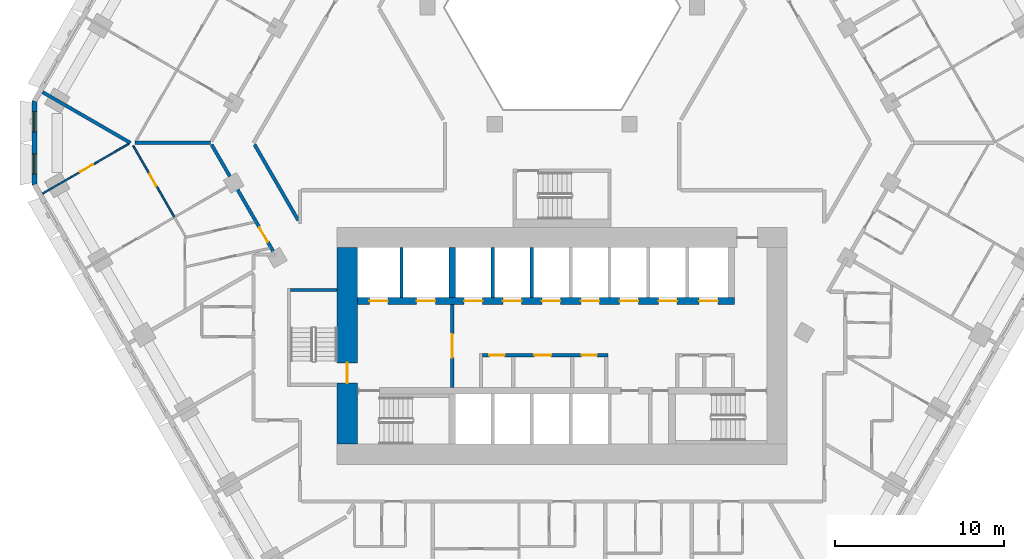
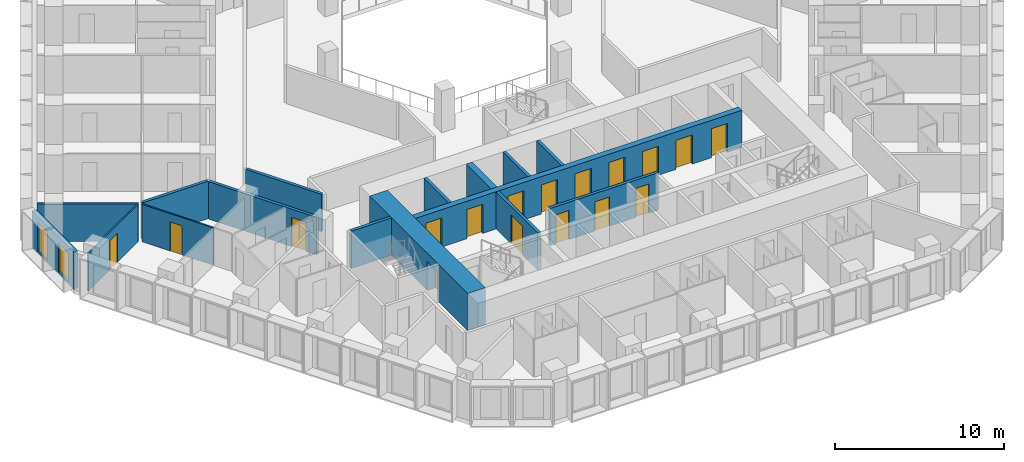
# One storey, part 5 of 21: 17 doors, 16 walls, 2 windows, 19 openings.
"""IFC4 building model written with IfcOpenShell, lengths in metres."""

from ifc_helpers import new_model, si_unit, direction, frame, frame_2d, origin, place, context, subcontext, project, spatial, polyline, rectangle, outline, extrude, material, layer, layer_set, type_object, element, fill, save


model = new_model("IFC4")

# Units and contexts
model_context = context("Model", 3, precision=1e-05, world=origin(), true_north=direction((0.0, 1.0)))
body_context = subcontext(model_context, "Body", "Model", "MODEL_VIEW")
ifc_project = project(units=[si_unit("LENGTHUNIT", "METRE"), si_unit("AREAUNIT", "SQUARE_METRE"), si_unit("VOLUMEUNIT", "CUBIC_METRE"), si_unit("PLANEANGLEUNIT", "RADIAN"), si_unit("MASSUNIT", "GRAM", prefix="KILO")], contexts=[model_context])

# Site, building, storey
site_placement = place(None, origin())
site = spatial("IfcSite", under=ifc_project, at=site_placement, CompositionType="ELEMENT")
building_placement = place(site_placement, origin())
building = spatial("IfcBuilding", under=site, at=building_placement, Name="Beryl Residences", CompositionType="ELEMENT")
storey_placement = place(building_placement, frame((0.0, 0.0, 35.39990234375)))
storey = spatial("IfcBuildingStorey", under=building, at=storey_placement, Name="L10", CompositionType="ELEMENT", Elevation=35.39990234375)

# Wall, openings, windows
ifc_material_1 = material(Name="Composite metal panel with mineral wool insulation")
ifc_layer_1 = layer(ifc_material_1, 0.300048828125)
ifc_layer_set_1 = layer_set([ifc_layer_1], Name="ES1 pale metal composite panel wall 300 mm")
wall_type_1 = type_object("IfcWallType", Name="ES1 pale metal composite panel wall 300 mm", PredefinedType="SOLIDWALL", material=ifc_layer_set_1)
wall_1_placement = place(storey_placement, frame((-31.199951171875, 2.5, 0.0), z_axis=(0.0, 0.0, 1.0), x_axis=(0.0, -1.0, 0.0)))
wall_1 = element("IfcWall", 1, at=wall_1_placement, inside=storey, type_object=wall_type_1, Name="ES1 external wall L10 NW-SW", PredefinedType="SOLIDWALL", context=body_context, shape_type="SweptSolid", body=[
    extrude(outline(polyline([(0.0, -0.14990234375), (5.0, -0.14990234375), (4.919677734375, 0.14990234375), (0.080322265625, 0.14990234375), (0.0, -0.14990234375)])), origin(), (0.0, 0.0, 1.0), 2.7001953125),
])
opening_1_placement = place(wall_1_placement, frame((0.64990234375, 0.0, 0.14990234375)))
opening_1 = element("IfcOpeningElement", 2, at=opening_1_placement, cuts=wall_1, Name="Opening W2", PredefinedType="OPENING", context=body_context, shape_type="SweptSolid", body=[
    extrude(rectangle(XDim=1.199951171875, YDim=2.10009765625, at=frame_2d((0.60009765625, 1.050048828125))), frame((0.0, 0.159912109375, 0.0), z_axis=(0.0, -1.0, 0.0), x_axis=(1.0, 0.0, 0.0)), (0.0, 0.0, 1.0), 0.320068359375),
])
opening_2_placement = place(wall_1_placement, frame((3.14990234375, 0.0, 0.14990234375)))
opening_2 = element("IfcOpeningElement", 3, at=opening_2_placement, cuts=wall_1, Name="Opening W2", PredefinedType="OPENING", context=body_context, shape_type="SweptSolid", body=[
    extrude(rectangle(XDim=1.199951171875, YDim=2.10009765625, at=frame_2d((0.60009765625, 1.050048828125))), frame((0.0, 0.159912109375, 0.0), z_axis=(0.0, -1.0, 0.0), x_axis=(1.0, 0.0, 0.0)), (0.0, 0.0, 1.0), 0.320068359375),
])
ifc_material_2 = material(Name="Aluminium and clear glass", Category="aluminium")
window_type = type_object("IfcWindowType", Name="W2 chamfer window 1200 x 2100 mm", PartitioningType="SINGLE_PANEL", PredefinedType="WINDOW", material=ifc_material_2)
window_1_placement = place(opening_1_placement, origin())
window_1 = element("IfcWindow", 4, at=window_1_placement, inside=storey, type_object=window_type, Name="W2 window L10 NW-SW 1", OverallHeight=2.10009765625, OverallWidth=1.199951171875, PartitioningType="SINGLE_PANEL", PredefinedType="WINDOW", context=body_context, shape_type="SweptSolid", body=[
    extrude(rectangle(XDim=1.199951171875, YDim=2.10009765625, at=frame_2d((0.60009765625, 1.050048828125))), frame((0.0, 0.030029296875, 0.0), z_axis=(0.0, -1.0, 0.0), x_axis=(1.0, 0.0, 0.0)), (0.0, 0.0, 1.0), 0.06005859375),
])
fill(opening_1, window_1)
window_2_placement = place(opening_2_placement, origin())
window_2 = element("IfcWindow", 5, at=window_2_placement, inside=storey, type_object=window_type, Name="W2 window L10 NW-SW 2", OverallHeight=2.10009765625, OverallWidth=1.199951171875, PartitioningType="SINGLE_PANEL", PredefinedType="WINDOW", context=body_context, shape_type="SweptSolid", body=[
    extrude(rectangle(XDim=1.199951171875, YDim=2.10009765625, at=frame_2d((0.60009765625, 1.050048828125))), frame((0.0, 0.030029296875, 0.0), z_axis=(0.0, -1.0, 0.0), x_axis=(1.0, 0.0, 0.0)), (0.0, 0.0, 1.0), 0.06005859375),
])
fill(opening_2, window_2)

# Wall, opening, door
ifc_material_3 = material(Name="Gypsum board partition on steel studs", Category="steel")
ifc_layer_2 = layer(ifc_material_3, 0.10009765625)
ifc_layer_set_2 = layer_set([ifc_layer_2], Name="PT1 partition 100 mm gypsum board on steel studs")
wall_type_2 = type_object("IfcWallType", Name="PT1 partition 100 mm gypsum board on steel studs", PredefinedType="PARTITIONING", material=ifc_layer_set_2)
wall_2_placement = place(storey_placement, frame((-25.35791015625, -0.174072265625, 0.0), z_axis=(0.0, 0.0, 1.0), x_axis=(0.500093956194, -0.865971151354, 0.0)))
wall_2 = element("IfcWall", 6, at=wall_2_placement, inside=storey, type_object=wall_type_2, Name="Wall PT1 L10 002", PredefinedType="PARTITIONING", context=body_context, shape_type="SweptSolid", body=[
    extrude(rectangle(XDim=4.873046875, YDim=0.10009765625, at=frame_2d((2.4365234375, 0.0))), origin(), (0.0, 0.0, 1.0), 2.7001953125),
])
opening_3_placement = place(wall_2_placement, frame((1.93701171875, 0.0, 0.0)))
opening_3 = element("IfcOpeningElement", 7, at=opening_3_placement, cuts=wall_2, Name="Opening D0175", PredefinedType="OPENING", context=body_context, shape_type="SweptSolid", body=[
    extrude(rectangle(XDim=0.800048828125, YDim=2.10009765625, at=frame_2d((0.39990234375, 1.050048828125))), frame((0.0, 0.06005859375, 0.0), z_axis=(0.0, -1.0, 0.0), x_axis=(1.0, 0.0, 0.0)), (0.0, 0.0, 1.0), 0.1201171875),
])
ifc_material_4 = material(Name="Timber door leaf", Category="wood")
door_type_1 = type_object("IfcDoorType", Name="D3 bathroom door 800 x 2100 mm", OperationType="SINGLE_SWING_LEFT", PredefinedType="DOOR", material=ifc_material_4)
door_1_placement = place(opening_3_placement, origin())
door_1 = element("IfcDoor", 8, at=door_1_placement, inside=storey, type_object=door_type_1, Name="Door D0175 L10 001", OperationType="SINGLE_SWING_LEFT", OverallHeight=2.10009765625, OverallWidth=0.800048828125, PredefinedType="DOOR", context=body_context, shape_type="SweptSolid", body=[
    extrude(rectangle(XDim=0.800048828125, YDim=2.10009765625, at=frame_2d((0.39990234375, 1.050048828125))), frame((0.0, 0.02490234375, 0.0), z_axis=(0.0, -1.0, 0.0), x_axis=(1.0, 0.0, 0.0)), (0.0, 0.0, 1.0), 0.050048828125),
])
fill(opening_3, door_1)

wall_3_placement = place(storey_placement, frame((-30.715087890625, -3.0, 0.0), z_axis=(0.0, 0.0, 1.0), x_axis=(0.866054318203, 0.499949915414, 0.0)))
wall_3 = element("IfcWall", 9, at=wall_3_placement, inside=storey, type_object=wall_type_2, Name="Wall PT1 L10 065", PredefinedType="PARTITIONING", context=body_context, shape_type="SweptSolid", body=[
    extrude(rectangle(XDim=5.88427734375, YDim=0.10009765625, at=frame_2d((2.942138671875, 0.0))), origin(), (0.0, 0.0, 1.0), 2.7001953125),
])
opening_4_placement = place(wall_3_placement, frame((2.550048828125, 0.0, 0.0)))
opening_4 = element("IfcOpeningElement", 10, at=opening_4_placement, cuts=wall_3, Name="Opening D0174", PredefinedType="OPENING", context=body_context, shape_type="SweptSolid", body=[
    extrude(rectangle(XDim=0.89990234375, YDim=2.10009765625, at=frame_2d((0.449951171875, 1.050048828125))), frame((0.0, 0.06005859375, 0.0), z_axis=(0.0, -1.0, 0.0), x_axis=(1.0, 0.0, 0.0)), (0.0, 0.0, 1.0), 0.1201171875),
])
ifc_material_5 = material(Name="Timber door leaf", Category="wood")
door_type_2 = type_object("IfcDoorType", Name="D2 room door 900 x 2100 mm", OperationType="SINGLE_SWING_LEFT", PredefinedType="DOOR", material=ifc_material_5)
door_2_placement = place(opening_4_placement, origin())
door_2 = element("IfcDoor", 11, at=door_2_placement, inside=storey, type_object=door_type_2, Name="Door D0174 L10 001", OperationType="SINGLE_SWING_RIGHT", OverallHeight=2.10009765625, OverallWidth=0.89990234375, PredefinedType="DOOR", context=body_context, shape_type="SweptSolid", body=[
    extrude(rectangle(XDim=0.89990234375, YDim=2.10009765625, at=frame_2d((0.449951171875, 1.050048828125))), frame((0.0, 0.02490234375, 0.0), z_axis=(0.0, -1.0, 0.0), x_axis=(1.0, 0.0, 0.0)), (0.0, 0.0, 1.0), 0.050048828125),
])
fill(opening_4, door_2)

ifc_material_6 = material(Name="Concrete masonry", Category="masonry")
ifc_layer_3 = layer(ifc_material_6, 0.199951171875)
ifc_layer_set_3 = layer_set([ifc_layer_3], Name="PT13 lobby wall 200 mm")
wall_type_3 = type_object("IfcWallType", Name="PT13 lobby wall 200 mm", PredefinedType="PARTITIONING", material=ifc_layer_set_3)
wall_4_placement = place(storey_placement, frame((-6.5, -14.449951171875, 0.0), z_axis=(0.0, 0.0, 1.0), x_axis=(0.0, 1.0, 0.0)))
wall_4 = element("IfcWall", 12, at=wall_4_placement, inside=storey, type_object=wall_type_3, Name="Lobby wall 06", PredefinedType="PARTITIONING", context=body_context, shape_type="SweptSolid", body=[
    extrude(rectangle(XDim=4.89990234375, YDim=0.199951171875, at=frame_2d((2.449951171875, 0.0))), origin(), (0.0, 0.0, 1.0), 2.7001953125),
])
opening_5_placement = place(wall_4_placement, frame((3.14990234375, 0.0, 0.0), z_axis=(0.0, 0.0, 1.0), x_axis=(-1.0, 0.0, 0.0)))
opening_5 = element("IfcOpeningElement", 13, at=opening_5_placement, cuts=wall_4, Name="Opening FD-FFL", PredefinedType="OPENING", context=body_context, shape_type="SweptSolid", body=[
    extrude(rectangle(XDim=1.39990234375, YDim=2.10009765625, at=frame_2d((0.699951171875, 1.050048828125))), frame((0.0, 0.10986328125, 0.0), z_axis=(0.0, -1.0, 0.0), x_axis=(1.0, 0.0, 0.0)), (0.0, 0.0, 1.0), 0.219970703125),
])
ifc_material_7 = material(Name="Steel door leaf in steel frame", Category="steel")
door_type_3 = type_object("IfcDoorType", Name="D5 lobby door 1400 x 2100 mm", OperationType="DOUBLE_DOOR_SINGLE_SWING", PredefinedType="DOOR", material=ifc_material_7)
door_3_placement = place(opening_5_placement, origin())
door_3 = element("IfcDoor", 14, at=door_3_placement, inside=storey, type_object=door_type_3, Name="Door FD-FFL L10 001", OperationType="DOUBLE_DOOR_SINGLE_SWING", OverallHeight=2.10009765625, OverallWidth=1.39990234375, PredefinedType="DOOR", context=body_context, shape_type="SweptSolid", body=[
    extrude(rectangle(XDim=1.39990234375, YDim=2.10009765625, at=frame_2d((0.699951171875, 1.050048828125))), frame((0.0, 0.02490234375, 0.0), z_axis=(0.0, -1.0, 0.0), x_axis=(1.0, 0.0, 0.0)), (0.0, 0.0, 1.0), 0.050048828125),
])
fill(opening_5, door_3)

# Wall, openings, doors
wall_5_placement = place(storey_placement, frame((-4.699951171875, -12.550048828125, 0.0), z_axis=(0.0, 0.0, 1.0), x_axis=(1.0, 0.0, 0.0)))
wall_5 = element("IfcWall", 15, at=wall_5_placement, inside=storey, type_object=wall_type_3, Name="Lobby wall 08", PredefinedType="PARTITIONING", context=body_context, shape_type="SweptSolid", body=[
    extrude(rectangle(XDim=7.39990234375, YDim=0.199951171875, at=frame_2d((3.699951171875, 0.0))), origin(), (0.0, 0.0, 1.0), 2.7001953125),
])
opening_6_placement = place(wall_5_placement, frame((1.2998046875, 0.0, 0.0), z_axis=(0.0, 0.0, 1.0), x_axis=(-1.0, 0.0, 0.0)))
opening_6 = element("IfcOpeningElement", 16, at=opening_6_placement, cuts=wall_5, Name="Opening CD-D-A1-900", PredefinedType="OPENING", context=body_context, shape_type="SweptSolid", body=[
    extrude(rectangle(XDim=0.89990234375, YDim=2.10009765625, at=frame_2d((0.449951171875, 1.050048828125))), frame((0.0, 0.10986328125, 0.0), z_axis=(0.0, -1.0, 0.0), x_axis=(1.0, 0.0, 0.0)), (0.0, 0.0, 1.0), 0.219970703125),
])
opening_7_placement = place(wall_5_placement, frame((4.050048828125, 0.0, 0.0), z_axis=(0.0, 0.0, 1.0), x_axis=(-1.0, 0.0, 0.0)))
opening_7 = element("IfcOpeningElement", 17, at=opening_7_placement, cuts=wall_5, Name="Opening CD-D-A2", PredefinedType="OPENING", context=body_context, shape_type="SweptSolid", body=[
    extrude(rectangle(XDim=1.0, YDim=2.10009765625, at=frame_2d((0.5, 1.050048828125))), frame((0.0, 0.10986328125, 0.0), z_axis=(0.0, -1.0, 0.0), x_axis=(1.0, 0.0, 0.0)), (0.0, 0.0, 1.0), 0.219970703125),
])
opening_8_placement = place(wall_5_placement, frame((6.75, 0.0, 0.0), z_axis=(0.0, 0.0, 1.0), x_axis=(-1.0, 0.0, 0.0)))
opening_8 = element("IfcOpeningElement", 18, at=opening_8_placement, cuts=wall_5, Name="Opening CD-D-A3-900", PredefinedType="OPENING", context=body_context, shape_type="SweptSolid", body=[
    extrude(rectangle(XDim=0.89990234375, YDim=2.10009765625, at=frame_2d((0.449951171875, 1.050048828125))), frame((0.0, 0.10986328125, 0.0), z_axis=(0.0, -1.0, 0.0), x_axis=(1.0, 0.0, 0.0)), (0.0, 0.0, 1.0), 0.219970703125),
])
ifc_material_8 = material(Name="Steel door leaf in steel frame", Category="steel")
door_type_4 = type_object("IfcDoorType", Name="D18 service room door 1000 x 2100 mm", OperationType="SINGLE_SWING_LEFT", PredefinedType="DOOR", material=ifc_material_8)
door_4_placement = place(opening_7_placement, origin())
door_4 = element("IfcDoor", 19, at=door_4_placement, inside=storey, type_object=door_type_4, Name="Door CD-D-A2 L10 001", OperationType="SINGLE_SWING_LEFT", OverallHeight=2.10009765625, OverallWidth=1.0, PredefinedType="DOOR", context=body_context, shape_type="SweptSolid", body=[
    extrude(rectangle(XDim=1.0, YDim=2.10009765625, at=frame_2d((0.5, 1.050048828125))), frame((0.0, 0.02490234375, 0.0), z_axis=(0.0, -1.0, 0.0), x_axis=(1.0, 0.0, 0.0)), (0.0, 0.0, 1.0), 0.050048828125),
])
fill(opening_7, door_4)
ifc_material_9 = material(Name="Steel door leaf in steel frame", Category="steel")
door_type_5 = type_object("IfcDoorType", Name="D6 service room door 900 x 2100 mm", OperationType="SINGLE_SWING_LEFT", PredefinedType="DOOR", material=ifc_material_9)
door_5_placement = place(opening_6_placement, origin())
door_5 = element("IfcDoor", 20, at=door_5_placement, inside=storey, type_object=door_type_5, Name="Door CD-D-A1-900 L10 001", OperationType="SINGLE_SWING_RIGHT", OverallHeight=2.10009765625, OverallWidth=0.89990234375, PredefinedType="DOOR", context=body_context, shape_type="SweptSolid", body=[
    extrude(rectangle(XDim=0.89990234375, YDim=2.10009765625, at=frame_2d((0.449951171875, 1.050048828125))), frame((0.0, 0.02490234375, 0.0), z_axis=(0.0, -1.0, 0.0), x_axis=(1.0, 0.0, 0.0)), (0.0, 0.0, 1.0), 0.050048828125),
])
fill(opening_6, door_5)
door_6_placement = place(opening_8_placement, origin())
door_6 = element("IfcDoor", 21, at=door_6_placement, inside=storey, type_object=door_type_5, Name="Door CD-D-A3-900 L10 001", OperationType="SINGLE_SWING_RIGHT", OverallHeight=2.10009765625, OverallWidth=0.89990234375, PredefinedType="DOOR", context=body_context, shape_type="SweptSolid", body=[
    extrude(rectangle(XDim=0.89990234375, YDim=2.10009765625, at=frame_2d((0.449951171875, 1.050048828125))), frame((0.0, 0.02490234375, 0.0), z_axis=(0.0, -1.0, 0.0), x_axis=(1.0, 0.0, 0.0)), (0.0, 0.0, 1.0), 0.050048828125),
])
fill(opening_8, door_6)

# Walls
ifc_material_10 = material(Name="Acoustic double stud gypsum board wall")
ifc_layer_4 = layer(ifc_material_10, 0.199951171875)
ifc_layer_set_4 = layer_set([ifc_layer_4], Name="PT3 party wall 200 mm acoustic double stud")
wall_type_4 = type_object("IfcWallType", Name="PT3 party wall 200 mm acoustic double stud", PredefinedType="PARTITIONING", material=ifc_layer_set_4)
wall_6_placement = place(storey_placement, frame((-30.716064453125, 2.9990234375, 0.0), z_axis=(0.0, 0.0, 1.0), x_axis=(0.866020924479, -0.500007758305, 0.0)))
element("IfcWall", 22, at=wall_6_placement, inside=storey, type_object=wall_type_4, Name="Wall PT3 L10 009", PredefinedType="PARTITIONING", context=body_context, shape_type="SweptSolid", body=[
    extrude(rectangle(XDim=6.0, YDim=0.199951171875, at=frame_2d((3.0, 0.0))), origin(), (0.0, 0.0, 1.0), 2.7001953125),
])
wall_7_placement = place(storey_placement, frame((-25.258056640625, -0.0009765625, 0.0), z_axis=(0.0, 0.0, 1.0), x_axis=(1.0, 0.0, 0.0)))
element("IfcWall", 23, at=wall_7_placement, inside=storey, type_object=wall_type_4, Name="Wall PT3 L10 013", PredefinedType="PARTITIONING", context=body_context, shape_type="SweptSolid", body=[
    extrude(rectangle(XDim=4.47412109375, YDim=0.199951171875, at=frame_2d((2.237060546875, 0.0))), origin(), (0.0, 0.0, 1.0), 2.7001953125),
])
ifc_material_11 = material(Name="Double stud gypsum board wall")
ifc_layer_5 = layer(ifc_material_11, 0.199951171875)
ifc_layer_set_5 = layer_set([ifc_layer_5], Name="PT4 corridor wall 200 mm double stud")
wall_type_5 = type_object("IfcWallType", Name="PT4 corridor wall 200 mm double stud", PredefinedType="PARTITIONING", material=ifc_layer_set_5)
wall_8_placement = place(storey_placement, frame((-18.18603515625, -0.10107421875, 0.0), z_axis=(0.0, 0.0, 1.0), x_axis=(0.499997591167, -0.86602679452, 0.0)))
element("IfcWall", 24, at=wall_8_placement, inside=storey, type_object=wall_type_5, Name="Wall PT4 L10 002", PredefinedType="PARTITIONING", context=body_context, shape_type="SweptSolid", body=[
    extrude(rectangle(XDim=5.171875, YDim=0.199951171875, at=frame_2d((2.5859375, 0.0))), origin(), (0.0, 0.0, 1.0), 2.7001953125),
])

# Wall, opening, door
wall_9_placement = place(storey_placement, frame((-20.72705078125, -0.10107421875, 0.0), z_axis=(0.0, 0.0, 1.0), x_axis=(0.500065652488, -0.865987495984, 0.0)))
wall_9 = element("IfcWall", 25, at=wall_9_placement, inside=storey, type_object=wall_type_5, Name="Wall PT4 L10 003", PredefinedType="PARTITIONING", context=body_context, shape_type="SweptSolid", body=[
    extrude(rectangle(XDim=7.38916015625, YDim=0.199951171875, at=frame_2d((3.694580078125, 0.0))), origin(), (0.0, 0.0, 1.0), 2.7001953125),
])
opening_9_placement = place(wall_9_placement, frame((5.654052734375, 0.0, 0.0)))
opening_9 = element("IfcOpeningElement", 26, at=opening_9_placement, cuts=wall_9, Name="Opening D0169", PredefinedType="OPENING", context=body_context, shape_type="SweptSolid", body=[
    extrude(rectangle(XDim=1.0, YDim=2.10009765625, at=frame_2d((0.5, 1.050048828125))), frame((0.0, 0.10986328125, 0.0), z_axis=(0.0, -1.0, 0.0), x_axis=(1.0, 0.0, 0.0)), (0.0, 0.0, 1.0), 0.219970703125),
])
ifc_material_12 = material(Name="Timber door leaf", Category="wood")
door_type_6 = type_object("IfcDoorType", Name="D1 flat entrance door 1000 x 2100 mm", OperationType="SINGLE_SWING_LEFT", PredefinedType="DOOR", material=ifc_material_12)
door_7_placement = place(opening_9_placement, origin())
door_7 = element("IfcDoor", 27, at=door_7_placement, inside=storey, type_object=door_type_6, Name="Door D0169 L10 001", OperationType="SINGLE_SWING_LEFT", OverallHeight=2.10009765625, OverallWidth=1.0, PredefinedType="DOOR", context=body_context, shape_type="SweptSolid", body=[
    extrude(rectangle(XDim=1.0, YDim=2.10009765625, at=frame_2d((0.5, 1.050048828125))), frame((0.0, 0.02490234375, 0.0), z_axis=(0.0, -1.0, 0.0), x_axis=(1.0, 0.0, 0.0)), (0.0, 0.0, 1.0), 0.050048828125),
])
fill(opening_9, door_7)

# Walls
ifc_material_13 = material(Name="Concrete C40/50", Category="concrete")
ifc_layer_6 = layer(ifc_material_13, 0.199951171875)
ifc_layer_set_6 = layer_set([ifc_layer_6], Name="PT5 stair enclosure wall 200 mm reinforced concrete C40/50")
wall_type_6 = type_object("IfcWallType", Name="PT5 stair enclosure wall 200 mm reinforced concrete C40/50", PredefinedType="SOLIDWALL", material=ifc_layer_set_6)
wall_10_placement = place(storey_placement, frame((-16.050048828125, -8.699951171875, 0.0), z_axis=(0.0, 0.0, 1.0), x_axis=(1.0, 0.0, 0.0)))
element("IfcWall", 28, at=wall_10_placement, inside=storey, type_object=wall_type_6, Name="Stair wall 03", PredefinedType="SOLIDWALL", context=body_context, shape_type="SweptSolid", body=[
    extrude(rectangle(XDim=2.75, YDim=0.199951171875, at=frame_2d((1.375, 0.0))), origin(), (0.0, 0.0, 1.0), 2.7001953125),
])
ifc_material_14 = material(Name="Concrete C40/50", Category="concrete")
ifc_layer_7 = layer(ifc_material_14, 0.199951171875)
ifc_layer_set_7 = layer_set([ifc_layer_7], Name="PT6 lift shaft wall 200 mm reinforced concrete C40/50")
wall_type_7 = type_object("IfcWallType", Name="PT6 lift shaft wall 200 mm reinforced concrete C40/50", PredefinedType="SOLIDWALL", material=ifc_layer_set_7)
for number, where, z_axis, x_axis, name in (
    (29, (-9.5, -9.14990234375, 0.0), (0.0, 0.0, 1.0), (0.0, 1.0, 0.0), "Lift shaft wall 05"),
    (30, (-4.10009765625, -9.14990234375, 0.0), (0.0, 0.0, 1.0), (0.0, 1.0, 0.0), "Lift shaft wall 10"),
    (31, (-1.800048828125, -9.14990234375, 0.0), (0.0, 0.0, 1.0), (0.0, 1.0, 0.0), "Lift shaft wall 13"),
):
    element("IfcWall", number, at=place(storey_placement, frame(where, z_axis=z_axis, x_axis=x_axis)), inside=storey, type_object=wall_type_7, Name=name, PredefinedType="SOLIDWALL", context=body_context, shape_type="SweptSolid", body=[
        extrude(rectangle(XDim=2.949951171875, YDim=0.199951171875, at=frame_2d((1.47509765625, 0.0))), origin(), (0.0, 0.0, 1.0), 2.7001953125),
    ])

# Wall, opening, door
ifc_material_15 = material(Name="Concrete C80/95", Category="concrete")
ifc_layer_8 = layer(ifc_material_15, 1.199951171875)
ifc_layer_set_8 = layer_set([ifc_layer_8], Name="SW1 core outer wall 1200 mm C80/95")
wall_type_8 = type_object("IfcWallType", Name="SW1 core outer wall 1200 mm C80/95", PredefinedType="SHEAR", material=ifc_layer_set_8)
wall_11_placement = place(storey_placement, frame((-12.699951171875, -17.800048828125, 0.0), z_axis=(0.0, 0.0, 1.0), x_axis=(0.0, 1.0, 0.0)))
wall_11 = element("IfcWall", 32, at=wall_11_placement, inside=storey, type_object=wall_type_8, Name="Core wall W L10", PredefinedType="SHEAR", context=body_context, shape_type="SweptSolid", body=[
    extrude(rectangle(XDim=11.60009765625, YDim=1.199951171875, at=frame_2d((5.800048828125, 0.0))), origin(), (0.0, 0.0, 1.0), 2.7001953125),
])
opening_10_placement = place(wall_11_placement, frame((3.60009765625, 0.0, 0.0)))
opening_10 = element("IfcOpeningElement", 33, at=opening_10_placement, cuts=wall_11, Name="Opening SD-2", PredefinedType="OPENING", context=body_context, shape_type="SweptSolid", body=[
    extrude(rectangle(XDim=1.199951171875, YDim=2.10009765625, at=frame_2d((0.60009765625, 1.050048828125))), frame((0.0, 0.60986328125, 0.0), z_axis=(0.0, -1.0, 0.0), x_axis=(1.0, 0.0, 0.0)), (0.0, 0.0, 1.0), 1.219970703125),
])
ifc_material_16 = material(Name="Steel door leaf in steel frame", Category="steel")
door_type_7 = type_object("IfcDoorType", Name="D4 stair door 1200 x 2100 mm", OperationType="SINGLE_SWING_LEFT", PredefinedType="DOOR", material=ifc_material_16)
door_8_placement = place(opening_10_placement, origin())
door_8 = element("IfcDoor", 34, at=door_8_placement, inside=storey, type_object=door_type_7, Name="Door SD-2 L10 001", OperationType="SINGLE_SWING_RIGHT", OverallHeight=2.10009765625, OverallWidth=1.199951171875, PredefinedType="DOOR", context=body_context, shape_type="SweptSolid", body=[
    extrude(rectangle(XDim=1.199951171875, YDim=2.10009765625, at=frame_2d((0.60009765625, 1.050048828125))), frame((0.0, 0.02490234375, 0.0), z_axis=(0.0, -1.0, 0.0), x_axis=(1.0, 0.0, 0.0)), (0.0, 0.0, 1.0), 0.050048828125),
])
fill(opening_10, door_8)

# Wall, openings, doors
ifc_material_17 = material(Name="Concrete C80/95", Category="concrete")
ifc_layer_9 = layer(ifc_material_17, 0.39990234375)
ifc_layer_set_9 = layer_set([ifc_layer_9], Name="SW6 core internal wall 400 mm C80/95")
wall_type_9 = type_object("IfcWallType", Name="SW6 core internal wall 400 mm C80/95", PredefinedType="SHEAR", material=ifc_layer_set_9)
wall_12_placement = place(storey_placement, frame((-12.10009765625, -9.35009765625, 0.0), z_axis=(0.0, 0.0, 1.0), x_axis=(1.0, 0.0, 0.0)))
wall_12 = element("IfcWall", 35, at=wall_12_placement, inside=storey, type_object=wall_type_9, Name="Core wall SP2 L10", PredefinedType="SHEAR", context=body_context, shape_type="SweptSolid", body=[
    extrude(rectangle(XDim=22.300048828125, YDim=0.39990234375, at=frame_2d((11.14990234375, 0.0))), origin(), (0.0, 0.0, 1.0), 2.7001953125),
])
opening_11_placement = place(wall_12_placement, frame((0.699951171875, 0.0, 0.0)))
opening_11 = element("IfcOpeningElement", 36, at=opening_11_placement, cuts=wall_12, Name="Opening LD-FF1", PredefinedType="OPENING", context=body_context, shape_type="SweptSolid", body=[
    extrude(rectangle(XDim=1.10009765625, YDim=2.10009765625, at=frame_2d((0.550048828125, 1.050048828125))), frame((0.0, 0.2099609375, 0.0), z_axis=(0.0, -1.0, 0.0), x_axis=(1.0, 0.0, 0.0)), (0.0, 0.0, 1.0), 0.419921875),
])
opening_12_placement = place(wall_12_placement, frame((3.5, 0.0, 0.0)))
opening_12 = element("IfcOpeningElement", 37, at=opening_12_placement, cuts=wall_12, Name="Opening LD-FF2", PredefinedType="OPENING", context=body_context, shape_type="SweptSolid", body=[
    extrude(rectangle(XDim=1.10009765625, YDim=2.10009765625, at=frame_2d((0.550048828125, 1.050048828125))), frame((0.0, 0.2099609375, 0.0), z_axis=(0.0, -1.0, 0.0), x_axis=(1.0, 0.0, 0.0)), (0.0, 0.0, 1.0), 0.419921875),
])
opening_13_placement = place(wall_12_placement, frame((6.300048828125, 0.0, 0.0)))
opening_13 = element("IfcOpeningElement", 38, at=opening_13_placement, cuts=wall_12, Name="Opening LD-LR1", PredefinedType="OPENING", context=body_context, shape_type="SweptSolid", body=[
    extrude(rectangle(XDim=1.10009765625, YDim=2.10009765625, at=frame_2d((0.550048828125, 1.050048828125))), frame((0.0, 0.2099609375, 0.0), z_axis=(0.0, -1.0, 0.0), x_axis=(1.0, 0.0, 0.0)), (0.0, 0.0, 1.0), 0.419921875),
])
opening_14_placement = place(wall_12_placement, frame((8.60009765625, 0.0, 0.0)))
opening_14 = element("IfcOpeningElement", 39, at=opening_14_placement, cuts=wall_12, Name="Opening LD-LR2", PredefinedType="OPENING", context=body_context, shape_type="SweptSolid", body=[
    extrude(rectangle(XDim=1.10009765625, YDim=2.10009765625, at=frame_2d((0.550048828125, 1.050048828125))), frame((0.0, 0.2099609375, 0.0), z_axis=(0.0, -1.0, 0.0), x_axis=(1.0, 0.0, 0.0)), (0.0, 0.0, 1.0), 0.419921875),
])
opening_15_placement = place(wall_12_placement, frame((10.89990234375, 0.0, 0.0)))
opening_15 = element("IfcOpeningElement", 40, at=opening_15_placement, cuts=wall_12, Name="Opening LD-LR3", PredefinedType="OPENING", context=body_context, shape_type="SweptSolid", body=[
    extrude(rectangle(XDim=1.10009765625, YDim=2.10009765625, at=frame_2d((0.550048828125, 1.050048828125))), frame((0.0, 0.2099609375, 0.0), z_axis=(0.0, -1.0, 0.0), x_axis=(1.0, 0.0, 0.0)), (0.0, 0.0, 1.0), 0.419921875),
])
opening_16_placement = place(wall_12_placement, frame((13.199951171875, 0.0, 0.0)))
opening_16 = element("IfcOpeningElement", 41, at=opening_16_placement, cuts=wall_12, Name="Opening LD-LR4", PredefinedType="OPENING", context=body_context, shape_type="SweptSolid", body=[
    extrude(rectangle(XDim=1.10009765625, YDim=2.10009765625, at=frame_2d((0.550048828125, 1.050048828125))), frame((0.0, 0.2099609375, 0.0), z_axis=(0.0, -1.0, 0.0), x_axis=(1.0, 0.0, 0.0)), (0.0, 0.0, 1.0), 0.419921875),
])
opening_17_placement = place(wall_12_placement, frame((15.5, 0.0, 0.0)))
opening_17 = element("IfcOpeningElement", 42, at=opening_17_placement, cuts=wall_12, Name="Opening LD-LR5", PredefinedType="OPENING", context=body_context, shape_type="SweptSolid", body=[
    extrude(rectangle(XDim=1.10009765625, YDim=2.10009765625, at=frame_2d((0.550048828125, 1.050048828125))), frame((0.0, 0.2099609375, 0.0), z_axis=(0.0, -1.0, 0.0), x_axis=(1.0, 0.0, 0.0)), (0.0, 0.0, 1.0), 0.419921875),
])
opening_18_placement = place(wall_12_placement, frame((17.800048828125, 0.0, 0.0)))
opening_18 = element("IfcOpeningElement", 43, at=opening_18_placement, cuts=wall_12, Name="Opening LD-LR6", PredefinedType="OPENING", context=body_context, shape_type="SweptSolid", body=[
    extrude(rectangle(XDim=1.10009765625, YDim=2.10009765625, at=frame_2d((0.550048828125, 1.050048828125))), frame((0.0, 0.2099609375, 0.0), z_axis=(0.0, -1.0, 0.0), x_axis=(1.0, 0.0, 0.0)), (0.0, 0.0, 1.0), 0.419921875),
])
opening_19_placement = place(wall_12_placement, frame((20.199951171875, 0.0, 0.0)))
opening_19 = element("IfcOpeningElement", 44, at=opening_19_placement, cuts=wall_12, Name="Opening LD-SL1", PredefinedType="OPENING", context=body_context, shape_type="SweptSolid", body=[
    extrude(rectangle(XDim=1.10009765625, YDim=2.10009765625, at=frame_2d((0.550048828125, 1.050048828125))), frame((0.0, 0.2099609375, 0.0), z_axis=(0.0, -1.0, 0.0), x_axis=(1.0, 0.0, 0.0)), (0.0, 0.0, 1.0), 0.419921875),
])
ifc_material_18 = material(Name="Stainless steel sliding door", Category="steel")
door_type_8 = type_object("IfcDoorType", Name="LD1 lift landing door 1100 x 2100 mm", OperationType="DOUBLE_DOOR_SLIDING", PredefinedType="DOOR", material=ifc_material_18)
door_9_placement = place(opening_11_placement, origin())
door_9 = element("IfcDoor", 45, at=door_9_placement, inside=storey, type_object=door_type_8, Name="Lift landing door FF1", OperationType="DOUBLE_DOOR_SLIDING", OverallHeight=2.10009765625, OverallWidth=1.10009765625, PredefinedType="DOOR", context=body_context, shape_type="SweptSolid", body=[
    extrude(rectangle(XDim=1.10009765625, YDim=2.10009765625, at=frame_2d((0.550048828125, 1.050048828125))), frame((0.0, 0.02490234375, 0.0), z_axis=(0.0, -1.0, 0.0), x_axis=(1.0, 0.0, 0.0)), (0.0, 0.0, 1.0), 0.050048828125),
])
fill(opening_11, door_9)
door_10_placement = place(opening_12_placement, origin())
door_10 = element("IfcDoor", 46, at=door_10_placement, inside=storey, type_object=door_type_8, Name="Lift landing door FF2", OperationType="DOUBLE_DOOR_SLIDING", OverallHeight=2.10009765625, OverallWidth=1.10009765625, PredefinedType="DOOR", context=body_context, shape_type="SweptSolid", body=[
    extrude(rectangle(XDim=1.10009765625, YDim=2.10009765625, at=frame_2d((0.550048828125, 1.050048828125))), frame((0.0, 0.02490234375, 0.0), z_axis=(0.0, -1.0, 0.0), x_axis=(1.0, 0.0, 0.0)), (0.0, 0.0, 1.0), 0.050048828125),
])
fill(opening_12, door_10)
door_11_placement = place(opening_13_placement, origin())
door_11 = element("IfcDoor", 47, at=door_11_placement, inside=storey, type_object=door_type_8, Name="Lift landing door LR1", OperationType="DOUBLE_DOOR_SLIDING", OverallHeight=2.10009765625, OverallWidth=1.10009765625, PredefinedType="DOOR", context=body_context, shape_type="SweptSolid", body=[
    extrude(rectangle(XDim=1.10009765625, YDim=2.10009765625, at=frame_2d((0.550048828125, 1.050048828125))), frame((0.0, 0.02490234375, 0.0), z_axis=(0.0, -1.0, 0.0), x_axis=(1.0, 0.0, 0.0)), (0.0, 0.0, 1.0), 0.050048828125),
])
fill(opening_13, door_11)
door_12_placement = place(opening_14_placement, origin())
door_12 = element("IfcDoor", 48, at=door_12_placement, inside=storey, type_object=door_type_8, Name="Lift landing door LR2", OperationType="DOUBLE_DOOR_SLIDING", OverallHeight=2.10009765625, OverallWidth=1.10009765625, PredefinedType="DOOR", context=body_context, shape_type="SweptSolid", body=[
    extrude(rectangle(XDim=1.10009765625, YDim=2.10009765625, at=frame_2d((0.550048828125, 1.050048828125))), frame((0.0, 0.02490234375, 0.0), z_axis=(0.0, -1.0, 0.0), x_axis=(1.0, 0.0, 0.0)), (0.0, 0.0, 1.0), 0.050048828125),
])
fill(opening_14, door_12)
door_13_placement = place(opening_15_placement, origin())
door_13 = element("IfcDoor", 49, at=door_13_placement, inside=storey, type_object=door_type_8, Name="Lift landing door LR3", OperationType="DOUBLE_DOOR_SLIDING", OverallHeight=2.10009765625, OverallWidth=1.10009765625, PredefinedType="DOOR", context=body_context, shape_type="SweptSolid", body=[
    extrude(rectangle(XDim=1.10009765625, YDim=2.10009765625, at=frame_2d((0.550048828125, 1.050048828125))), frame((0.0, 0.02490234375, 0.0), z_axis=(0.0, -1.0, 0.0), x_axis=(1.0, 0.0, 0.0)), (0.0, 0.0, 1.0), 0.050048828125),
])
fill(opening_15, door_13)
door_14_placement = place(opening_16_placement, origin())
door_14 = element("IfcDoor", 50, at=door_14_placement, inside=storey, type_object=door_type_8, Name="Lift landing door LR4", OperationType="DOUBLE_DOOR_SLIDING", OverallHeight=2.10009765625, OverallWidth=1.10009765625, PredefinedType="DOOR", context=body_context, shape_type="SweptSolid", body=[
    extrude(rectangle(XDim=1.10009765625, YDim=2.10009765625, at=frame_2d((0.550048828125, 1.050048828125))), frame((0.0, 0.02490234375, 0.0), z_axis=(0.0, -1.0, 0.0), x_axis=(1.0, 0.0, 0.0)), (0.0, 0.0, 1.0), 0.050048828125),
])
fill(opening_16, door_14)
door_15_placement = place(opening_17_placement, origin())
door_15 = element("IfcDoor", 51, at=door_15_placement, inside=storey, type_object=door_type_8, Name="Lift landing door LR5", OperationType="DOUBLE_DOOR_SLIDING", OverallHeight=2.10009765625, OverallWidth=1.10009765625, PredefinedType="DOOR", context=body_context, shape_type="SweptSolid", body=[
    extrude(rectangle(XDim=1.10009765625, YDim=2.10009765625, at=frame_2d((0.550048828125, 1.050048828125))), frame((0.0, 0.02490234375, 0.0), z_axis=(0.0, -1.0, 0.0), x_axis=(1.0, 0.0, 0.0)), (0.0, 0.0, 1.0), 0.050048828125),
])
fill(opening_17, door_15)
door_16_placement = place(opening_18_placement, origin())
door_16 = element("IfcDoor", 52, at=door_16_placement, inside=storey, type_object=door_type_8, Name="Lift landing door LR6", OperationType="DOUBLE_DOOR_SLIDING", OverallHeight=2.10009765625, OverallWidth=1.10009765625, PredefinedType="DOOR", context=body_context, shape_type="SweptSolid", body=[
    extrude(rectangle(XDim=1.10009765625, YDim=2.10009765625, at=frame_2d((0.550048828125, 1.050048828125))), frame((0.0, 0.02490234375, 0.0), z_axis=(0.0, -1.0, 0.0), x_axis=(1.0, 0.0, 0.0)), (0.0, 0.0, 1.0), 0.050048828125),
])
fill(opening_18, door_16)
door_17_placement = place(opening_19_placement, origin())
door_17 = element("IfcDoor", 53, at=door_17_placement, inside=storey, type_object=door_type_8, Name="Lift landing door SL1", OperationType="DOUBLE_DOOR_SLIDING", OverallHeight=2.10009765625, OverallWidth=1.10009765625, PredefinedType="DOOR", context=body_context, shape_type="SweptSolid", body=[
    extrude(rectangle(XDim=1.10009765625, YDim=2.10009765625, at=frame_2d((0.550048828125, 1.050048828125))), frame((0.0, 0.02490234375, 0.0), z_axis=(0.0, -1.0, 0.0), x_axis=(1.0, 0.0, 0.0)), (0.0, 0.0, 1.0), 0.050048828125),
])
fill(opening_19, door_17)

# Wall
wall_13_placement = place(storey_placement, frame((-6.5, -9.14990234375, 0.0), z_axis=(0.0, 0.0, 1.0), x_axis=(0.0, 1.0, 0.0)))
element("IfcWall", 54, at=wall_13_placement, inside=storey, type_object=wall_type_9, Name="Core wall XN1 L10", PredefinedType="SHEAR", context=body_context, shape_type="SweptSolid", body=[
    extrude(rectangle(XDim=2.949951171875, YDim=0.39990234375, at=frame_2d((1.47509765625, 0.0))), origin(), (0.0, 0.0, 1.0), 2.7001953125),
])

save(model, "model.ifc")
